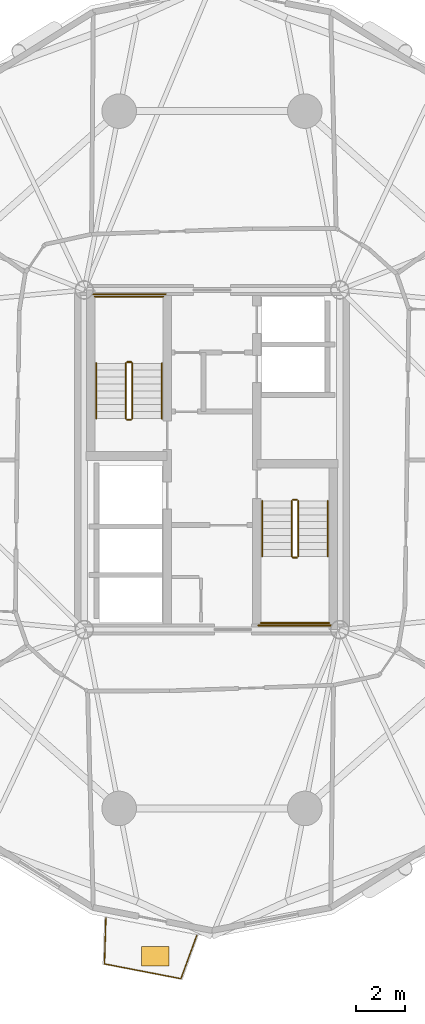
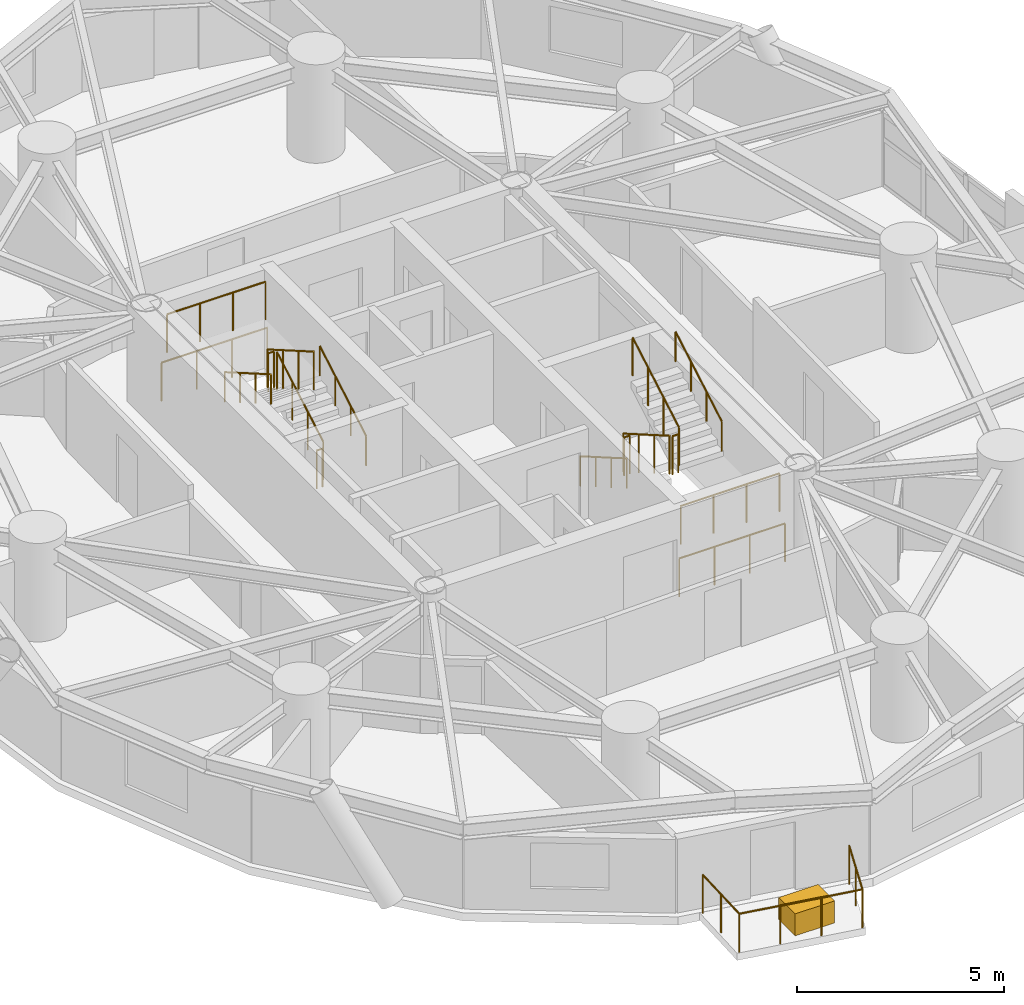
# One storey, part 15 of 17: 17 railings, 1 covering.
"""IFC4 building model written with IfcOpenShell, lengths in metres."""

from ifc_helpers import new_model, si_unit, direction, frame, origin, origin_2d, place, context, subcontext, project, spatial, rectangle, circle, extrude, source, transform, mapped, material, layer, layer_set, type_object, element, save


model = new_model("IFC4")

# Units and contexts
model_context = context("Model", 3, precision=1e-05, world=origin(), true_north=direction((0.0, 1.0)))
body_context = subcontext(model_context, "Body", "Model", "MODEL_VIEW")
ifc_project = project(units=[si_unit("LENGTHUNIT", "METRE"), si_unit("AREAUNIT", "SQUARE_METRE"), si_unit("VOLUMEUNIT", "CUBIC_METRE"), si_unit("PLANEANGLEUNIT", "RADIAN"), si_unit("MASSUNIT", "GRAM", prefix="KILO")], contexts=[model_context])

# Site, building, storey
site_placement = place(None, origin())
site = spatial("IfcSite", under=ifc_project, at=site_placement, CompositionType="ELEMENT")
building_placement = place(site_placement, origin())
building = spatial("IfcBuilding", under=site, at=building_placement, Name="Cununo Teusaquillo Station Towers", CompositionType="ELEMENT")
storey_placement = place(building_placement, frame((0.0, 0.0, 78.8798828125)))
storey = spatial("IfcBuildingStorey", under=building, at=storey_placement, Name="L24", CompositionType="ELEMENT", Elevation=78.8798828125)

# Railings
ifc_material_1 = material(Name="Anodised dark bronze aluminium EN AW-6063-T6", Category="aluminium")
railing_type_1 = type_object("IfcRailingType", Name="RL-EXT-GUARD", PredefinedType="GUARDRAIL", material=ifc_material_1)
railing_1_placement = place(storey_placement, frame((15.8818359375, 5.228271484375, 0.0)))
element("IfcRailing", 1, at=railing_1_placement, inside=storey, type_object=railing_type_1, Name="L24 Tower A Balcony Guardrail C14", PredefinedType="GUARDRAIL", context=body_context, shape_type="SweptSolid", body=[
    extrude(circle(Radius=0.02392578125, at=origin_2d()), frame((0.0, 0.0, 1.1259765625), z_axis=(-0.343962021681, -0.9389835609, 0.0), x_axis=(0.9389835609, -0.343962021681, 0.0)), (0.0, 0.0, 1.0), 1.86328125),
    extrude(circle(Radius=0.02392578125, at=origin_2d()), frame((-0.640869140625, -1.74951171875, 1.1259765625), z_axis=(-0.981834317938, 0.189740275429, 0.0), x_axis=(-0.189740275429, -0.981834317938, 0.0)), (0.0, 0.0, 1.0), 3.15380859375),
    extrude(circle(Radius=0.02392578125, at=origin_2d()), frame((-3.7373046875, -1.151123046875, 1.1259765625), z_axis=(0.030662031384, 0.999529809376, 0.0), x_axis=(-0.999529809376, 0.030662031384, 0.0)), (0.0, 0.0, 1.0), 1.86328125),
    extrude(circle(Radius=0.02099609375, at=origin_2d()), origin(), (0.0, 0.0, 1.0), 1.101806640625),
    extrude(circle(Radius=0.02099609375, at=origin_2d()), frame((-0.3203125, -0.874755859375, 0.0)), (0.0, 0.0, 1.0), 1.101806640625),
    extrude(circle(Radius=0.02099609375, at=origin_2d()), frame((-0.640869140625, -1.74951171875, 0.0)), (0.0, 0.0, 1.0), 1.101806640625),
    extrude(circle(Radius=0.02099609375, at=origin_2d()), frame((-1.673095703125, -1.550048828125, 0.0)), (0.0, 0.0, 1.0), 1.101806640625),
    extrude(circle(Radius=0.02099609375, at=origin_2d()), frame((-2.705078125, -1.3505859375, 0.0)), (0.0, 0.0, 1.0), 1.101806640625),
    extrude(circle(Radius=0.02099609375, at=origin_2d()), frame((-3.7373046875, -1.151123046875, 0.0)), (0.0, 0.0, 1.0), 1.101806640625),
    extrude(circle(Radius=0.02099609375, at=origin_2d()), frame((-3.708740234375, -0.219970703125, 0.0)), (0.0, 0.0, 1.0), 1.101806640625),
    extrude(circle(Radius=0.02099609375, at=origin_2d()), frame((-3.68017578125, 0.711181640625, 0.0)), (0.0, 0.0, 1.0), 1.101806640625),
])
ifc_material_2 = material(Name="Steel EN 10025-2 S355J2", Category="steel")
railing_type_2 = type_object("IfcRailingType", Name="RL-INT-GUARD", PredefinedType="GUARDRAIL", material=ifc_material_2)
railing_2_placement = place(storey_placement, frame((13.27001953125, 26.169921875, 0.161865234375)))
element("IfcRailing", 2, at=railing_2_placement, inside=storey, type_object=railing_type_2, Name="L24 ST-T1-1 stair guard 1", PredefinedType="GUARDRAIL", context=body_context, shape_type="SweptSolid", body=[
    extrude(circle(Radius=0.02392578125, at=origin_2d()), frame((0.0, 0.0, 1.1259765625), z_axis=(0.0, 0.866033117094, 0.499986639918), x_axis=(-1.0, 0.0, 0.0)), (0.0, 0.0, 1.0), 2.58642578125),
    extrude(circle(Radius=0.02099609375, at=origin_2d()), origin(), (0.0, 0.0, 1.0), 1.101806640625),
    extrude(circle(Radius=0.02099609375, at=origin_2d()), frame((0.0, 0.74658203125, 0.43115234375)), (0.0, 0.0, 1.0), 1.101806640625),
    extrude(circle(Radius=0.02099609375, at=origin_2d()), frame((0.0, 1.493408203125, 0.862060546875)), (0.0, 0.0, 1.0), 1.101806640625),
    extrude(circle(Radius=0.02099609375, at=origin_2d()), frame((0.0, 2.239990234375, 1.293212890625)), (0.0, 0.0, 1.0), 1.101806640625),
])
railing_3_placement = place(storey_placement, frame((13.219970703125, 28.4599609375, 1.455078125)))
element("IfcRailing", 3, at=railing_3_placement, inside=storey, type_object=railing_type_2, Name="L24 ST-T1-1 stair guard 2", PredefinedType="GUARDRAIL", context=body_context, shape_type="SweptSolid", body=[
    extrude(circle(Radius=0.02392578125, at=origin_2d()), frame((0.0, 0.0, 1.1259765625), z_axis=(-1.0, 0.0, 0.0), x_axis=(0.0, -1.0, 0.0)), (0.0, 0.0, 1.0), 0.159912109375),
    extrude(circle(Radius=0.02099609375, at=origin_2d()), origin(), (0.0, 0.0, 1.0), 1.101806640625),
    extrude(circle(Radius=0.02099609375, at=origin_2d()), frame((-0.159912109375, 0.0, 0.0)), (0.0, 0.0, 1.0), 1.101806640625),
])
railing_4_placement = place(storey_placement, frame((14.52001953125, 31.110107421875, 1.455078125)))
element("IfcRailing", 4, at=railing_4_placement, inside=storey, type_object=railing_type_2, Name="L24 ST-T1-1 stair guard 3", PredefinedType="GUARDRAIL", context=body_context, shape_type="SweptSolid", body=[
    extrude(circle(Radius=0.02392578125, at=origin_2d()), frame((0.0, 0.0, 1.1259765625), z_axis=(-1.0, 0.0, 0.0), x_axis=(0.0, -1.0, 0.0)), (0.0, 0.0, 1.0), 2.760009765625),
    extrude(circle(Radius=0.02099609375, at=origin_2d()), origin(), (0.0, 0.0, 1.0), 1.101806640625),
    extrude(circle(Radius=0.02099609375, at=origin_2d()), frame((-0.919921875, 0.0, 0.0)), (0.0, 0.0, 1.0), 1.101806640625),
    extrude(circle(Radius=0.02099609375, at=origin_2d()), frame((-1.840087890625, 0.0, 0.0)), (0.0, 0.0, 1.0), 1.101806640625),
    extrude(circle(Radius=0.02099609375, at=origin_2d()), frame((-2.760009765625, 0.0, 0.0)), (0.0, 0.0, 1.0), 1.101806640625),
])
railing_5_placement = place(storey_placement, frame((13.010009765625, 28.409912109375, 1.61669921875)))
element("IfcRailing", 5, at=railing_5_placement, inside=storey, type_object=railing_type_2, Name="L24 ST-T1-1 stair guard 4", PredefinedType="GUARDRAIL", context=body_context, shape_type="SweptSolid", body=[
    extrude(circle(Radius=0.02392578125, at=origin_2d()), frame((0.0, 0.0, 1.1259765625), z_axis=(0.0, -0.865992244559, 0.500057429065), x_axis=(1.0, 0.0, 0.0)), (0.0, 0.0, 1.0), 2.586669921875),
    extrude(circle(Radius=0.02099609375, at=origin_2d()), origin(), (0.0, 0.0, 1.0), 1.101806640625),
    extrude(circle(Radius=0.02099609375, at=origin_2d()), frame((0.0, -0.74658203125, 0.43115234375)), (0.0, 0.0, 1.0), 1.101806640625),
    extrude(circle(Radius=0.02099609375, at=origin_2d()), frame((0.0, -1.493408203125, 0.8623046875)), (0.0, 0.0, 1.0), 1.101806640625),
    extrude(circle(Radius=0.02099609375, at=origin_2d()), frame((0.0, -2.239990234375, 1.29345703125)), (0.0, 0.0, 1.0), 1.101806640625),
])
railing_6_placement = place(storey_placement, frame((13.219970703125, 26.1201171875, 0.0)))
element("IfcRailing", 6, at=railing_6_placement, inside=storey, type_object=railing_type_2, Name="L24 ST-T1-1 stair guard 5", PredefinedType="GUARDRAIL", context=body_context, shape_type="SweptSolid", body=[
    extrude(circle(Radius=0.02392578125, at=origin_2d()), frame((0.0, 0.0, 1.1259765625), z_axis=(-1.0, 0.0, 0.0), x_axis=(0.0, -1.0, 0.0)), (0.0, 0.0, 1.0), 0.159912109375),
    extrude(circle(Radius=0.02099609375, at=origin_2d()), origin(), (0.0, 0.0, 1.0), 1.101806640625),
    extrude(circle(Radius=0.02099609375, at=origin_2d()), frame((-0.159912109375, 0.0, 0.0)), (0.0, 0.0, 1.0), 1.101806640625),
])
railing_7_placement = place(storey_placement, frame((14.6201171875, 31.2099609375, 0.0)))
element("IfcRailing", 7, at=railing_7_placement, inside=storey, type_object=railing_type_2, Name="L24 ST-T1-1 stair guard 6", PredefinedType="GUARDRAIL", context=body_context, shape_type="SweptSolid", body=[
    extrude(circle(Radius=0.02392578125, at=origin_2d()), frame((0.0, 0.0, 1.1259765625), z_axis=(-1.0, 0.0, 0.0), x_axis=(0.0, -1.0, 0.0)), (0.0, 0.0, 1.0), 2.960205078125),
    extrude(circle(Radius=0.02099609375, at=origin_2d()), origin(), (0.0, 0.0, 1.0), 1.101806640625),
    extrude(circle(Radius=0.02099609375, at=origin_2d()), frame((-0.98681640625, 0.0, 0.0)), (0.0, 0.0, 1.0), 1.101806640625),
    extrude(circle(Radius=0.02099609375, at=origin_2d()), frame((-1.973388671875, 0.0, 0.0)), (0.0, 0.0, 1.0), 1.101806640625),
    extrude(circle(Radius=0.02099609375, at=origin_2d()), frame((-2.960205078125, 0.0, 0.0)), (0.0, 0.0, 1.0), 1.101806640625),
])
railing_8_placement = place(storey_placement, frame((19.72998046875, 22.830078125, 0.161865234375)))
element("IfcRailing", 8, at=railing_8_placement, inside=storey, type_object=railing_type_2, Name="L24 ST-T1-2 stair guard 1", PredefinedType="GUARDRAIL", context=body_context, shape_type="SweptSolid", body=[
    extrude(circle(Radius=0.02392578125, at=origin_2d()), frame((0.0, 0.0, 1.1259765625), z_axis=(0.0, -0.866033117094, 0.499986639918), x_axis=(1.0, 0.0, 0.0)), (0.0, 0.0, 1.0), 2.58642578125),
    extrude(circle(Radius=0.02099609375, at=origin_2d()), origin(), (0.0, 0.0, 1.0), 1.101806640625),
    extrude(circle(Radius=0.02099609375, at=origin_2d()), frame((0.0, -0.74658203125, 0.43115234375)), (0.0, 0.0, 1.0), 1.101806640625),
    extrude(circle(Radius=0.02099609375, at=origin_2d()), frame((0.0, -1.493408203125, 0.862060546875)), (0.0, 0.0, 1.0), 1.101806640625),
    extrude(circle(Radius=0.02099609375, at=origin_2d()), frame((0.0, -2.239990234375, 1.293212890625)), (0.0, 0.0, 1.0), 1.101806640625),
])
railing_9_placement = place(storey_placement, frame((19.780029296875, 20.5400390625, 1.455078125)))
element("IfcRailing", 9, at=railing_9_placement, inside=storey, type_object=railing_type_2, Name="L24 ST-T1-2 stair guard 2", PredefinedType="GUARDRAIL", context=body_context, shape_type="SweptSolid", body=[
    extrude(circle(Radius=0.02392578125, at=origin_2d()), frame((0.0, 0.0, 1.1259765625), z_axis=(1.0, 0.0, 0.0), x_axis=(0.0, 1.0, 0.0)), (0.0, 0.0, 1.0), 0.159912109375),
    extrude(circle(Radius=0.02099609375, at=origin_2d()), origin(), (0.0, 0.0, 1.0), 1.101806640625),
    extrude(circle(Radius=0.02099609375, at=origin_2d()), frame((0.159912109375, 0.0, 0.0)), (0.0, 0.0, 1.0), 1.101806640625),
])
railing_10_placement = place(storey_placement, frame((18.47998046875, 17.889892578125, 1.455078125)))
element("IfcRailing", 10, at=railing_10_placement, inside=storey, type_object=railing_type_2, Name="L24 ST-T1-2 stair guard 3", PredefinedType="GUARDRAIL", context=body_context, shape_type="SweptSolid", body=[
    extrude(circle(Radius=0.02392578125, at=origin_2d()), frame((0.0, 0.0, 1.1259765625), z_axis=(1.0, 0.0, 0.0), x_axis=(0.0, 1.0, 0.0)), (0.0, 0.0, 1.0), 2.760009765625),
    extrude(circle(Radius=0.02099609375, at=origin_2d()), origin(), (0.0, 0.0, 1.0), 1.101806640625),
    extrude(circle(Radius=0.02099609375, at=origin_2d()), frame((0.919921875, 0.0, 0.0)), (0.0, 0.0, 1.0), 1.101806640625),
    extrude(circle(Radius=0.02099609375, at=origin_2d()), frame((1.840087890625, 0.0, 0.0)), (0.0, 0.0, 1.0), 1.101806640625),
    extrude(circle(Radius=0.02099609375, at=origin_2d()), frame((2.760009765625, 0.0, 0.0)), (0.0, 0.0, 1.0), 1.101806640625),
])
railing_11_placement = place(storey_placement, frame((19.989990234375, 20.590087890625, 1.61669921875)))
element("IfcRailing", 11, at=railing_11_placement, inside=storey, type_object=railing_type_2, Name="L24 ST-T1-2 stair guard 4", PredefinedType="GUARDRAIL", context=body_context, shape_type="SweptSolid", body=[
    extrude(circle(Radius=0.02392578125, at=origin_2d()), frame((0.0, 0.0, 1.1259765625), z_axis=(0.0, 0.865992244559, 0.500057429065), x_axis=(-1.0, 0.0, 0.0)), (0.0, 0.0, 1.0), 2.586669921875),
    extrude(circle(Radius=0.02099609375, at=origin_2d()), origin(), (0.0, 0.0, 1.0), 1.101806640625),
    extrude(circle(Radius=0.02099609375, at=origin_2d()), frame((0.0, 0.74658203125, 0.43115234375)), (0.0, 0.0, 1.0), 1.101806640625),
    extrude(circle(Radius=0.02099609375, at=origin_2d()), frame((0.0, 1.493408203125, 0.8623046875)), (0.0, 0.0, 1.0), 1.101806640625),
    extrude(circle(Radius=0.02099609375, at=origin_2d()), frame((0.0, 2.239990234375, 1.29345703125)), (0.0, 0.0, 1.0), 1.101806640625),
])
railing_12_placement = place(storey_placement, frame((19.780029296875, 22.8798828125, 0.0)))
element("IfcRailing", 12, at=railing_12_placement, inside=storey, type_object=railing_type_2, Name="L24 ST-T1-2 stair guard 5", PredefinedType="GUARDRAIL", context=body_context, shape_type="SweptSolid", body=[
    extrude(circle(Radius=0.02392578125, at=origin_2d()), frame((0.0, 0.0, 1.1259765625), z_axis=(1.0, 0.0, 0.0), x_axis=(0.0, 1.0, 0.0)), (0.0, 0.0, 1.0), 0.159912109375),
    extrude(circle(Radius=0.02099609375, at=origin_2d()), origin(), (0.0, 0.0, 1.0), 1.101806640625),
    extrude(circle(Radius=0.02099609375, at=origin_2d()), frame((0.159912109375, 0.0, 0.0)), (0.0, 0.0, 1.0), 1.101806640625),
])
railing_13_placement = place(storey_placement, frame((18.3798828125, 17.7900390625, 0.0)))
element("IfcRailing", 13, at=railing_13_placement, inside=storey, type_object=railing_type_2, Name="L24 ST-T1-2 stair guard 6", PredefinedType="GUARDRAIL", context=body_context, shape_type="SweptSolid", body=[
    extrude(circle(Radius=0.02392578125, at=origin_2d()), frame((0.0, 0.0, 1.1259765625), z_axis=(1.0, 0.0, 0.0), x_axis=(0.0, 1.0, 0.0)), (0.0, 0.0, 1.0), 2.960205078125),
    extrude(circle(Radius=0.02099609375, at=origin_2d()), origin(), (0.0, 0.0, 1.0), 1.101806640625),
    extrude(circle(Radius=0.02099609375, at=origin_2d()), frame((0.98681640625, 0.0, 0.0)), (0.0, 0.0, 1.0), 1.101806640625),
    extrude(circle(Radius=0.02099609375, at=origin_2d()), frame((1.973388671875, 0.0, 0.0)), (0.0, 0.0, 1.0), 1.101806640625),
    extrude(circle(Radius=0.02099609375, at=origin_2d()), frame((2.960205078125, 0.0, 0.0)), (0.0, 0.0, 1.0), 1.101806640625),
])
ifc_material_3 = material(Name="Steel EN 10025-2 S355J2", Category="steel")
railing_type_3 = type_object("IfcRailingType", Name="RL-INT-HRAIL", PredefinedType="HANDRAIL", material=ifc_material_3)
railing_14_placement = place(storey_placement, frame((14.469970703125, 26.169921875, 0.161865234375)))
element("IfcRailing", 14, at=railing_14_placement, inside=storey, type_object=railing_type_3, Name="L24 ST-T1-1 stair handrail 1", PredefinedType="HANDRAIL", context=body_context, shape_type="SweptSolid", body=[
    extrude(circle(Radius=0.02392578125, at=origin_2d()), frame((0.0, 0.0, 0.8759765625), z_axis=(0.0, 0.866033117094, 0.499986639918), x_axis=(-1.0, 0.0, 0.0)), (0.0, 0.0, 1.0), 2.58642578125),
    extrude(circle(Radius=0.02099609375, at=origin_2d()), origin(), (0.0, 0.0, 1.0), 0.851806640625),
    extrude(circle(Radius=0.02099609375, at=origin_2d()), frame((0.0, 0.74658203125, 0.43115234375)), (0.0, 0.0, 1.0), 0.851806640625),
    extrude(circle(Radius=0.02099609375, at=origin_2d()), frame((0.0, 1.493408203125, 0.862060546875)), (0.0, 0.0, 1.0), 0.851806640625),
    extrude(circle(Radius=0.02099609375, at=origin_2d()), frame((0.0, 2.239990234375, 1.293212890625)), (0.0, 0.0, 1.0), 0.851806640625),
])
railing_15_placement = place(storey_placement, frame((11.81005859375, 28.409912109375, 1.61669921875)))
element("IfcRailing", 15, at=railing_15_placement, inside=storey, type_object=railing_type_3, Name="L24 ST-T1-1 stair handrail 2", PredefinedType="HANDRAIL", context=body_context, shape_type="SweptSolid", body=[
    extrude(circle(Radius=0.02392578125, at=origin_2d()), frame((0.0, 0.0, 0.8759765625), z_axis=(0.0, -0.865992244559, 0.500057429065), x_axis=(1.0, 0.0, 0.0)), (0.0, 0.0, 1.0), 2.586669921875),
    extrude(circle(Radius=0.02099609375, at=origin_2d()), origin(), (0.0, 0.0, 1.0), 0.851806640625),
    extrude(circle(Radius=0.02099609375, at=origin_2d()), frame((0.0, -0.74658203125, 0.43115234375)), (0.0, 0.0, 1.0), 0.851806640625),
    extrude(circle(Radius=0.02099609375, at=origin_2d()), frame((0.0, -1.493408203125, 0.8623046875)), (0.0, 0.0, 1.0), 0.851806640625),
    extrude(circle(Radius=0.02099609375, at=origin_2d()), frame((0.0, -2.239990234375, 1.29345703125)), (0.0, 0.0, 1.0), 0.851806640625),
])
railing_16_placement = place(storey_placement, frame((18.530029296875, 22.830078125, 0.161865234375)))
element("IfcRailing", 16, at=railing_16_placement, inside=storey, type_object=railing_type_3, Name="L24 ST-T1-2 stair handrail 1", PredefinedType="HANDRAIL", context=body_context, shape_type="SweptSolid", body=[
    extrude(circle(Radius=0.02392578125, at=origin_2d()), frame((0.0, 0.0, 0.8759765625), z_axis=(0.0, -0.866033117094, 0.499986639918), x_axis=(1.0, 0.0, 0.0)), (0.0, 0.0, 1.0), 2.58642578125),
    extrude(circle(Radius=0.02099609375, at=origin_2d()), origin(), (0.0, 0.0, 1.0), 0.851806640625),
    extrude(circle(Radius=0.02099609375, at=origin_2d()), frame((0.0, -0.74658203125, 0.43115234375)), (0.0, 0.0, 1.0), 0.851806640625),
    extrude(circle(Radius=0.02099609375, at=origin_2d()), frame((0.0, -1.493408203125, 0.862060546875)), (0.0, 0.0, 1.0), 0.851806640625),
    extrude(circle(Radius=0.02099609375, at=origin_2d()), frame((0.0, -2.239990234375, 1.293212890625)), (0.0, 0.0, 1.0), 0.851806640625),
])
railing_17_placement = place(storey_placement, frame((21.18994140625, 20.590087890625, 1.61669921875)))
element("IfcRailing", 17, at=railing_17_placement, inside=storey, type_object=railing_type_3, Name="L24 ST-T1-2 stair handrail 2", PredefinedType="HANDRAIL", context=body_context, shape_type="SweptSolid", body=[
    extrude(circle(Radius=0.02392578125, at=origin_2d()), frame((0.0, 0.0, 0.8759765625), z_axis=(0.0, 0.865992244559, 0.500057429065), x_axis=(-1.0, 0.0, 0.0)), (0.0, 0.0, 1.0), 2.586669921875),
    extrude(circle(Radius=0.02099609375, at=origin_2d()), origin(), (0.0, 0.0, 1.0), 0.851806640625),
    extrude(circle(Radius=0.02099609375, at=origin_2d()), frame((0.0, 0.74658203125, 0.43115234375)), (0.0, 0.0, 1.0), 0.851806640625),
    extrude(circle(Radius=0.02099609375, at=origin_2d()), frame((0.0, 1.493408203125, 0.8623046875)), (0.0, 0.0, 1.0), 0.851806640625),
    extrude(circle(Radius=0.02099609375, at=origin_2d()), frame((0.0, 2.239990234375, 1.29345703125)), (0.0, 0.0, 1.0), 0.851806640625),
])

# Covering
ifc_material_4 = material(Name="Architectural GRC planter shell and engineered root-zone substrate", Category="concrete")
ifc_layer = layer(ifc_material_4, 0.64990234375)
ifc_layer_set = layer_set([ifc_layer], Name="Architectural GRC planter shell and engineered root-zone substrate")
covering_type = type_object("IfcCoveringType", Name="COV-TREE-PLANTER", PredefinedType="CLADDING", material=ifc_layer_set)
shared_shape = source(origin(), body_context, "Body", "SweptSolid", [
    extrude(rectangle(XDim=1.10009765625, YDim=0.800048828125, at=origin_2d()), origin(), (0.0, 0.0, 1.0), 0.64990234375),
])
covering_placement = place(storey_placement, frame((14.2021484375, 4.385498046875, 0.000244140625), z_axis=(0.0, 0.0, 1.0), x_axis=(1.0, 0.0, 0.0)))
element("IfcCovering", 18, at=covering_placement, inside=storey, type_object=covering_type, Name="L24 Tower A Balcony Tree PLANTER C14", PredefinedType="CLADDING", context=body_context, shape_type="MappedRepresentation", body=[
    mapped(shared_shape, transform((0.0, 0.0, 0.0), x_axis=(1.0, 0.0, 0.0), y_axis=(0.0, 1.0, 0.0), z_axis=(0.0, 0.0, 1.0), scale=1.0)),
])

save(model, "model.ifc")
